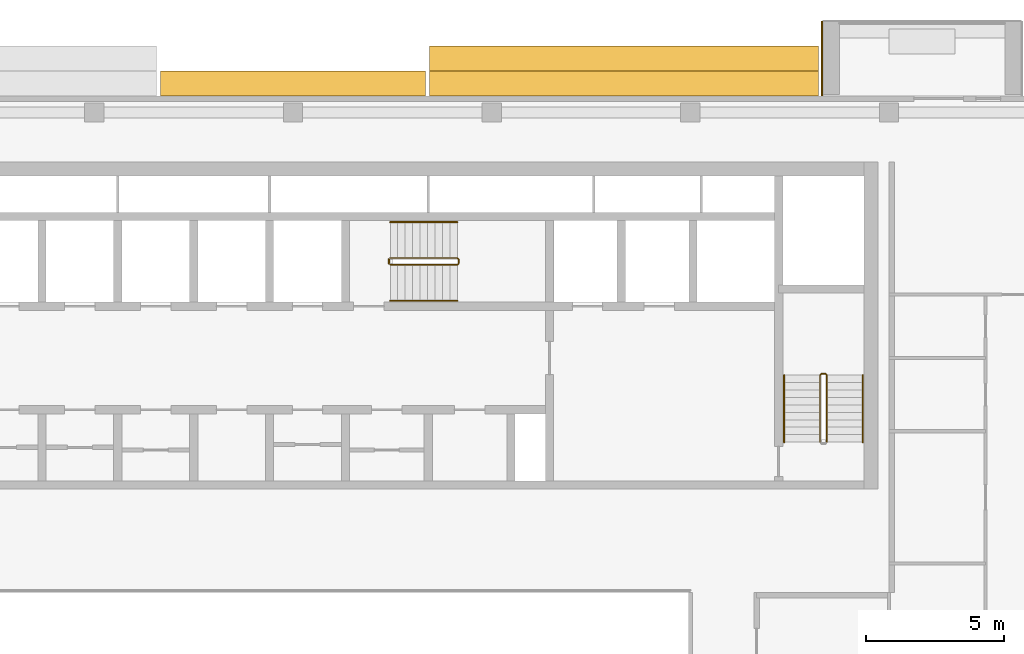
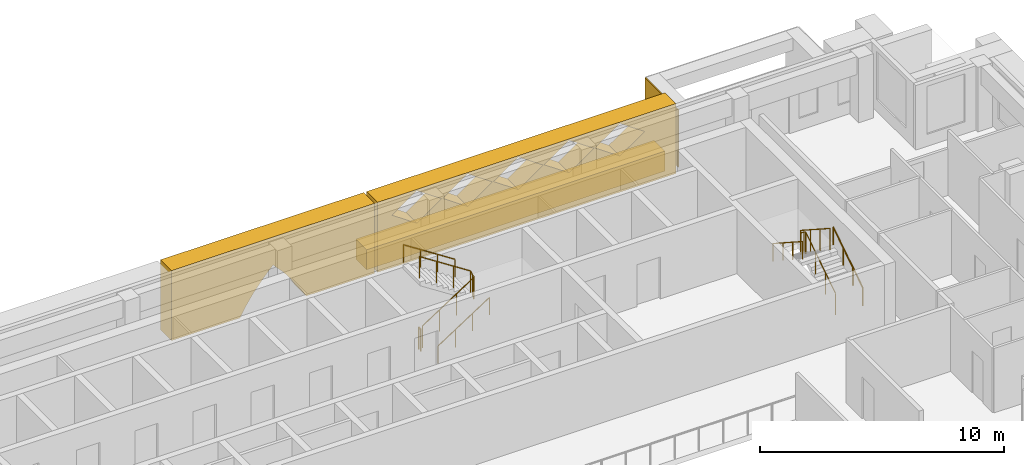
# One storey, part 18 of 19: 7 railings, 4 coverings.
"""IFC4 building model written with IfcOpenShell, lengths in metres."""

from ifc_helpers import new_model, si_unit, direction, frame, origin, origin_2d, place, context, subcontext, project, spatial, polyline, circle, outline, extrude, material, layer, layer_set, type_object, element, save


model = new_model("IFC4")

# Units and contexts
model_context = context("Model", 3, precision=1e-05, world=origin(), true_north=direction((0.0, 1.0)))
body_context = subcontext(model_context, "Body", "Model", "MODEL_VIEW")
ifc_project = project(units=[si_unit("LENGTHUNIT", "METRE"), si_unit("AREAUNIT", "SQUARE_METRE"), si_unit("VOLUMEUNIT", "CUBIC_METRE"), si_unit("PLANEANGLEUNIT", "RADIAN"), si_unit("MASSUNIT", "GRAM", prefix="KILO")], contexts=[model_context])

# Site, building, storey
site_placement = place(None, origin())
site = spatial("IfcSite", under=ifc_project, at=site_placement, CompositionType="ELEMENT")
building_placement = place(site_placement, origin())
building = spatial("IfcBuilding", under=site, at=building_placement, Name="Saffron Iwan Residences", CompositionType="ELEMENT")
storey_placement = place(building_placement, frame((0.0, 0.0, 215.0)))
storey = spatial("IfcBuildingStorey", under=building, at=storey_placement, Name="L57", CompositionType="ELEMENT", Elevation=215.0)

# Coverings
ifc_material_1 = material(Name="Precast concrete C40/50 white painted", Category="concrete")
ifc_layer_1 = layer(ifc_material_1, 0.050048828125)
ifc_layer_set_1 = layer_set([ifc_layer_1], Name="Precast concrete C40/50 white painted")
covering_type_1 = type_object("IfcCoveringType", Name="FRAME SKIN PRECAST WHITE 50", PredefinedType="CLADDING", material=ifc_layer_set_1)
covering_1_placement = place(storey_placement, origin())
element("IfcCovering", 1, at=covering_1_placement, inside=storey, type_object=covering_type_1, Name="Frame skin fin L57 F5-0b", PredefinedType="CLADDING", context=body_context, shape_type="SweptSolid", body=[
    extrude(outline(polyline([(69.60009765625, 83.10009765625), (69.550048828125, 83.10009765625), (69.550048828125, 80.39990234375), (69.60009765625, 80.39990234375), (69.60009765625, 83.10009765625)])), origin(), (0.0, 0.0, 1.0), 2.85009765625),
])
covering_type_2 = type_object("IfcCoveringType", Name="IWAN PANEL PRECAST WHITE", PredefinedType="CLADDING", material=ifc_material_1)
covering_2_placement = place(storey_placement, frame((55.199951171875, 80.39990234375, -0.280029296875), z_axis=(0.0, 1.0, 0.0), x_axis=(-1.0, 0.0, 0.0)))
element("IfcCovering", 2, at=covering_2_placement, inside=storey, type_object=covering_type_2, Name="Iwan panel L57 F5.0", PredefinedType="CLADDING", context=body_context, shape_type="SweptSolid", body=[
    extrude(outline(polyline([(0.0, 0.0), (0.0, 3.5), (9.60009765625, 3.5), (9.60009765625, 0.0), (6.366943359375, 0.0), (6.1416015625, 0.40185546875), (5.7392578125, 1.00244140625), (5.291259765625, 1.569580078125), (4.800048828125, 2.10009765625), (4.30859375, 1.569580078125), (3.860595703125, 1.00244140625), (3.45849609375, 0.40185546875), (3.233154296875, 0.0), (0.0, 0.0)])), origin(), (0.0, 0.0, 1.0), 0.900146484375),
])
ifc_material_2 = material(Name="Precast concrete C40/50", Category="concrete")
covering_type_3 = type_object("IfcCoveringType", Name="OUTER SKIN LATTICE SCREEN", PredefinedType="CLADDING", material=ifc_material_2)
covering_3_placement = place(storey_placement, frame((69.449951171875, 80.39990234375, -0.280029296875), z_axis=(0.0, 1.0, 0.0), x_axis=(-1.0, 0.0, 0.0)))
element("IfcCovering", 3, at=covering_3_placement, inside=storey, type_object=covering_type_3, Name="OUTER SKIN lattice screen L57 F5.1", PredefinedType="CLADDING", context=body_context, shape_type="SweptSolid", body=[
    extrude(outline(polyline([(0.0, 0.0), (14.10009765625, 0.0), (14.10009765625, 3.5), (0.0, 3.5), (0.0, 0.0)]), holes=[polyline([(1.469970703125, 2.625), (2.64990234375, 1.81005859375), (3.830078125, 2.625), (2.64990234375, 3.43994140625), (1.469970703125, 2.625)]), polyline([(3.8701171875, 2.625), (5.050048828125, 1.81005859375), (6.22998046875, 2.625), (5.050048828125, 3.43994140625), (3.8701171875, 2.625)]), polyline([(6.27001953125, 2.625), (7.449951171875, 1.81005859375), (8.6298828125, 2.625), (7.449951171875, 3.43994140625), (6.27001953125, 2.625)]), polyline([(8.669921875, 2.625), (9.85009765625, 1.81005859375), (11.030029296875, 2.625), (9.85009765625, 3.43994140625), (8.669921875, 2.625)]), polyline([(11.070068359375, 2.625), (12.25, 1.81005859375), (13.429931640625, 2.625), (12.25, 3.43994140625), (11.070068359375, 2.625)])]), origin(), (0.0, 0.0, 1.0), 0.900146484375),
])

# Railings
ifc_material_3 = material(Name="Steel S355", Category="steel")
railing_type_1 = type_object("IfcRailingType", Name="Stair guard 1100", PredefinedType="GUARDRAIL", material=ifc_material_3)
railing_1_placement = place(storey_placement, frame((53.925048828125, 74.27490234375, 0.175048828125)))
element("IfcRailing", 4, at=railing_1_placement, inside=storey, type_object=railing_type_1, Name="L57 ST-C stair guard 1", PredefinedType="GUARDRAIL", context=body_context, shape_type="SweptSolid", body=[
    extrude(circle(Radius=0.02392578125, at=origin_2d()), frame((0.0, 0.0, 1.076171875), z_axis=(0.839153699163, 0.0, 0.543894354798), x_axis=(0.0, 1.0, 0.0)), (0.0, 0.0, 1.0), 2.895751953125),
    extrude(circle(Radius=0.02392578125, at=origin_2d()), frame((2.429931640625, 0.0, 2.65087890625), z_axis=(0.707106781187, 0.707106781187, 0.0), x_axis=(-0.707106781187, 0.707106781187, 0.0)), (0.0, 0.0, 1.0), 0.07080078125),
    extrude(circle(Radius=0.02392578125, at=origin_2d()), frame((2.47998046875, 0.050048828125, 2.65087890625), z_axis=(0.0, 1.0, 0.0), x_axis=(-1.0, 0.0, 0.0)), (0.0, 0.0, 1.0), 0.150146484375),
    extrude(circle(Radius=0.02392578125, at=origin_2d()), frame((2.47998046875, 0.2001953125, 2.65087890625), z_axis=(-0.265155923931, 0.263862480399, 0.927399011991), x_axis=(-0.705375805398, -0.708833529934, 0.0)), (0.0, 0.0, 1.0), 0.188720703125),
    extrude(circle(Radius=0.02392578125, at=origin_2d()), frame((2.429931640625, 0.25, 2.826171875), z_axis=(-0.839153699163, 0.0, 0.543894354798), x_axis=(0.0, -1.0, 0.0)), (0.0, 0.0, 1.0), 2.895751953125),
    extrude(circle(Radius=0.02099609375, at=origin_2d()), origin(), (0.0, 0.0, 1.0), 1.052001953125),
    extrude(circle(Radius=0.02099609375, at=origin_2d()), frame((0.81005859375, 0.0, 0.52490234375)), (0.0, 0.0, 1.0), 1.052001953125),
    extrude(circle(Radius=0.02099609375, at=origin_2d()), frame((1.619873046875, 0.0, 1.050048828125)), (0.0, 0.0, 1.0), 1.052001953125),
    extrude(circle(Radius=0.02099609375, at=origin_2d()), frame((2.429931640625, 0.0, 1.574951171875)), (0.0, 0.0, 1.0), 1.052001953125),
    extrude(circle(Radius=0.02099609375, at=origin_2d()), frame((2.47998046875, 0.050048828125, 1.574951171875)), (0.0, 0.0, 1.0), 1.052001953125),
    extrude(circle(Radius=0.02099609375, at=origin_2d()), frame((2.47998046875, 0.2001953125, 1.574951171875)), (0.0, 0.0, 1.0), 1.052001953125),
    extrude(circle(Radius=0.02099609375, at=origin_2d()), frame((2.429931640625, 0.25, 1.75)), (0.0, 0.0, 1.0), 1.052001953125),
    extrude(circle(Radius=0.02099609375, at=origin_2d()), frame((1.619873046875, 0.25, 2.27490234375)), (0.0, 0.0, 1.0), 1.052001953125),
    extrude(circle(Radius=0.02099609375, at=origin_2d()), frame((0.81005859375, 0.25, 2.800048828125)), (0.0, 0.0, 1.0), 1.052001953125),
    extrude(circle(Radius=0.02099609375, at=origin_2d()), frame((0.0, 0.25, 3.324951171875)), (0.0, 0.0, 1.0), 1.052001953125),
])
railing_2_placement = place(storey_placement, frame((53.875, 74.324951171875, 0.0)))
element("IfcRailing", 5, at=railing_2_placement, inside=storey, type_object=railing_type_1, Name="L57 ST-C stair guard 2", PredefinedType="GUARDRAIL", context=body_context, shape_type="SweptSolid", body=[
    extrude(circle(Radius=0.02392578125, at=origin_2d()), frame((0.0, 0.0, 1.076171875), z_axis=(0.0, 1.0, 0.0), x_axis=(-1.0, 0.0, 0.0)), (0.0, 0.0, 1.0), 0.150146484375),
    extrude(circle(Radius=0.02099609375, at=origin_2d()), origin(), (0.0, 0.0, 1.0), 1.052001953125),
    extrude(circle(Radius=0.02099609375, at=origin_2d()), frame((0.0, 0.150146484375, 0.0)), (0.0, 0.0, 1.0), 1.052001953125),
])
railing_3_placement = place(storey_placement, frame((69.75, 67.85009765625, 0.175048828125)))
element("IfcRailing", 6, at=railing_3_placement, inside=storey, type_object=railing_type_1, Name="L57 ST-E stair guard 1", PredefinedType="GUARDRAIL", context=body_context, shape_type="SweptSolid", body=[
    extrude(circle(Radius=0.02392578125, at=origin_2d()), frame((0.0, 0.0, 1.076171875), z_axis=(0.0, 0.839153699163, 0.543894354798), x_axis=(-1.0, 0.0, 0.0)), (0.0, 0.0, 1.0), 2.895751953125),
    extrude(circle(Radius=0.02392578125, at=origin_2d()), frame((0.0, 2.429931640625, 2.65087890625), z_axis=(-0.707106781187, 0.707106781187, 0.0), x_axis=(-0.707106781187, -0.707106781187, 0.0)), (0.0, 0.0, 1.0), 0.07080078125),
    extrude(circle(Radius=0.02392578125, at=origin_2d()), frame((-0.050048828125, 2.47998046875, 2.65087890625), z_axis=(-1.0, 0.0, 0.0), x_axis=(0.0, -1.0, 0.0)), (0.0, 0.0, 1.0), 0.14990234375),
    extrude(circle(Radius=0.02392578125, at=origin_2d()), frame((-0.199951171875, 2.47998046875, 2.65087890625), z_axis=(-0.265065253269, -0.265065253269, 0.927081885822), x_axis=(0.707106781187, -0.707106781187, 0.0)), (0.0, 0.0, 1.0), 0.188720703125),
    extrude(circle(Radius=0.02392578125, at=origin_2d()), frame((-0.25, 2.429931640625, 2.826171875), z_axis=(0.0, -0.839153699163, 0.543894354798), x_axis=(1.0, 0.0, 0.0)), (0.0, 0.0, 1.0), 2.895751953125),
    extrude(circle(Radius=0.02099609375, at=origin_2d()), origin(), (0.0, 0.0, 1.0), 1.052001953125),
    extrude(circle(Radius=0.02099609375, at=origin_2d()), frame((0.0, 0.81005859375, 0.52490234375)), (0.0, 0.0, 1.0), 1.052001953125),
    extrude(circle(Radius=0.02099609375, at=origin_2d()), frame((0.0, 1.619873046875, 1.050048828125)), (0.0, 0.0, 1.0), 1.052001953125),
    extrude(circle(Radius=0.02099609375, at=origin_2d()), frame((0.0, 2.429931640625, 1.574951171875)), (0.0, 0.0, 1.0), 1.052001953125),
    extrude(circle(Radius=0.02099609375, at=origin_2d()), frame((-0.050048828125, 2.47998046875, 1.574951171875)), (0.0, 0.0, 1.0), 1.052001953125),
    extrude(circle(Radius=0.02099609375, at=origin_2d()), frame((-0.199951171875, 2.47998046875, 1.574951171875)), (0.0, 0.0, 1.0), 1.052001953125),
    extrude(circle(Radius=0.02099609375, at=origin_2d()), frame((-0.25, 2.429931640625, 1.75)), (0.0, 0.0, 1.0), 1.052001953125),
    extrude(circle(Radius=0.02099609375, at=origin_2d()), frame((-0.25, 1.619873046875, 2.27490234375)), (0.0, 0.0, 1.0), 1.052001953125),
    extrude(circle(Radius=0.02099609375, at=origin_2d()), frame((-0.25, 0.81005859375, 2.800048828125)), (0.0, 0.0, 1.0), 1.052001953125),
    extrude(circle(Radius=0.02099609375, at=origin_2d()), frame((-0.25, 0.0, 3.324951171875)), (0.0, 0.0, 1.0), 1.052001953125),
])
ifc_material_4 = material(Name="Stainless steel 316", Category="steel")
railing_type_2 = type_object("IfcRailingType", Name="Stair handrail 900", PredefinedType="HANDRAIL", material=ifc_material_4)
railing_4_placement = place(storey_placement, frame((53.925048828125, 72.97509765625, 0.175048828125)))
element("IfcRailing", 7, at=railing_4_placement, inside=storey, type_object=railing_type_2, Name="L57 ST-C stair handrail 1", PredefinedType="HANDRAIL", context=body_context, shape_type="SweptSolid", body=[
    extrude(circle(Radius=0.02392578125, at=origin_2d()), frame((0.0, 0.0, 0.8759765625), z_axis=(0.839153699163, 0.0, 0.543894354798), x_axis=(0.0, 1.0, 0.0)), (0.0, 0.0, 1.0), 2.895751953125),
    extrude(circle(Radius=0.02099609375, at=origin_2d()), origin(), (0.0, 0.0, 1.0), 0.851806640625),
    extrude(circle(Radius=0.02099609375, at=origin_2d()), frame((0.81005859375, 0.0, 0.52490234375)), (0.0, 0.0, 1.0), 0.851806640625),
    extrude(circle(Radius=0.02099609375, at=origin_2d()), frame((1.619873046875, 0.0, 1.050048828125)), (0.0, 0.0, 1.0), 0.851806640625),
    extrude(circle(Radius=0.02099609375, at=origin_2d()), frame((2.429931640625, 0.0, 1.574951171875)), (0.0, 0.0, 1.0), 0.851806640625),
])
railing_5_placement = place(storey_placement, frame((56.35498046875, 75.824951171875, 1.925048828125)))
element("IfcRailing", 8, at=railing_5_placement, inside=storey, type_object=railing_type_2, Name="L57 ST-C stair handrail 2", PredefinedType="HANDRAIL", context=body_context, shape_type="SweptSolid", body=[
    extrude(circle(Radius=0.02392578125, at=origin_2d()), frame((0.0, 0.0, 0.8759765625), z_axis=(-0.839153699163, 0.0, 0.543894354798), x_axis=(0.0, -1.0, 0.0)), (0.0, 0.0, 1.0), 2.895751953125),
    extrude(circle(Radius=0.02099609375, at=origin_2d()), origin(), (0.0, 0.0, 1.0), 0.851806640625),
    extrude(circle(Radius=0.02099609375, at=origin_2d()), frame((-0.81005859375, 0.0, 0.52490234375)), (0.0, 0.0, 1.0), 0.851806640625),
    extrude(circle(Radius=0.02099609375, at=origin_2d()), frame((-1.619873046875, 0.0, 1.050048828125)), (0.0, 0.0, 1.0), 0.851806640625),
    extrude(circle(Radius=0.02099609375, at=origin_2d()), frame((-2.429931640625, 0.0, 1.574951171875)), (0.0, 0.0, 1.0), 0.851806640625),
])
railing_6_placement = place(storey_placement, frame((71.050048828125, 67.85009765625, 0.175048828125)))
element("IfcRailing", 9, at=railing_6_placement, inside=storey, type_object=railing_type_2, Name="L57 ST-E stair handrail 1", PredefinedType="HANDRAIL", context=body_context, shape_type="SweptSolid", body=[
    extrude(circle(Radius=0.02392578125, at=origin_2d()), frame((0.0, 0.0, 0.8759765625), z_axis=(0.0, 0.839153699163, 0.543894354798), x_axis=(-1.0, 0.0, 0.0)), (0.0, 0.0, 1.0), 2.895751953125),
    extrude(circle(Radius=0.02099609375, at=origin_2d()), origin(), (0.0, 0.0, 1.0), 0.851806640625),
    extrude(circle(Radius=0.02099609375, at=origin_2d()), frame((0.0, 0.81005859375, 0.52490234375)), (0.0, 0.0, 1.0), 0.851806640625),
    extrude(circle(Radius=0.02099609375, at=origin_2d()), frame((0.0, 1.619873046875, 1.050048828125)), (0.0, 0.0, 1.0), 0.851806640625),
    extrude(circle(Radius=0.02099609375, at=origin_2d()), frame((0.0, 2.429931640625, 1.574951171875)), (0.0, 0.0, 1.0), 0.851806640625),
])
railing_7_placement = place(storey_placement, frame((68.199951171875, 70.280029296875, 1.925048828125)))
element("IfcRailing", 10, at=railing_7_placement, inside=storey, type_object=railing_type_2, Name="L57 ST-E stair handrail 2", PredefinedType="HANDRAIL", context=body_context, shape_type="SweptSolid", body=[
    extrude(circle(Radius=0.02392578125, at=origin_2d()), frame((0.0, 0.0, 0.8759765625), z_axis=(0.0, -0.839153699163, 0.543894354798), x_axis=(1.0, 0.0, 0.0)), (0.0, 0.0, 1.0), 2.895751953125),
    extrude(circle(Radius=0.02099609375, at=origin_2d()), origin(), (0.0, 0.0, 1.0), 0.851806640625),
    extrude(circle(Radius=0.02099609375, at=origin_2d()), frame((0.0, -0.81005859375, 0.52490234375)), (0.0, 0.0, 1.0), 0.851806640625),
    extrude(circle(Radius=0.02099609375, at=origin_2d()), frame((0.0, -1.619873046875, 1.050048828125)), (0.0, 0.0, 1.0), 0.851806640625),
    extrude(circle(Radius=0.02099609375, at=origin_2d()), frame((0.0, -2.429931640625, 1.574951171875)), (0.0, 0.0, 1.0), 0.851806640625),
])

# Covering
ifc_layer_2 = layer(ifc_material_1, 0.89990234375)
ifc_layer_set_2 = layer_set([ifc_layer_2], Name="Precast concrete C40/50 white painted")
covering_type_4 = type_object("IfcCoveringType", Name="WHITE EDGE BAND 900 x 1000", PredefinedType="CLADDING", material=ifc_layer_set_2)
covering_4_placement = place(storey_placement, frame((0.0, 0.0, -0.699951171875)))
element("IfcCovering", 11, at=covering_4_placement, inside=storey, type_object=covering_type_4, Name="White edge band L57 F5.1", PredefinedType="CLADDING", context=body_context, shape_type="SweptSolid", body=[
    extrude(outline(polyline([(69.449951171875, 82.199951171875), (55.35009765625, 82.199951171875), (55.35009765625, 81.300048828125), (69.449951171875, 81.300048828125), (69.449951171875, 82.199951171875)])), origin(), (0.0, 0.0, 1.0), 1.0),
])

save(model, "model.ifc")
